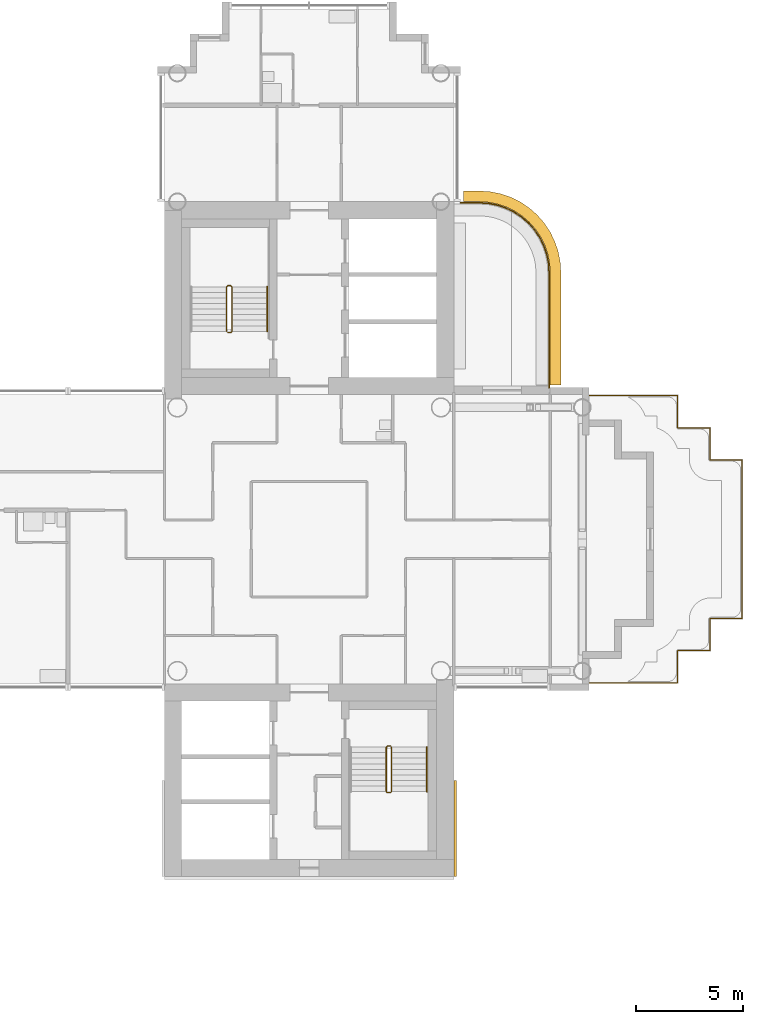
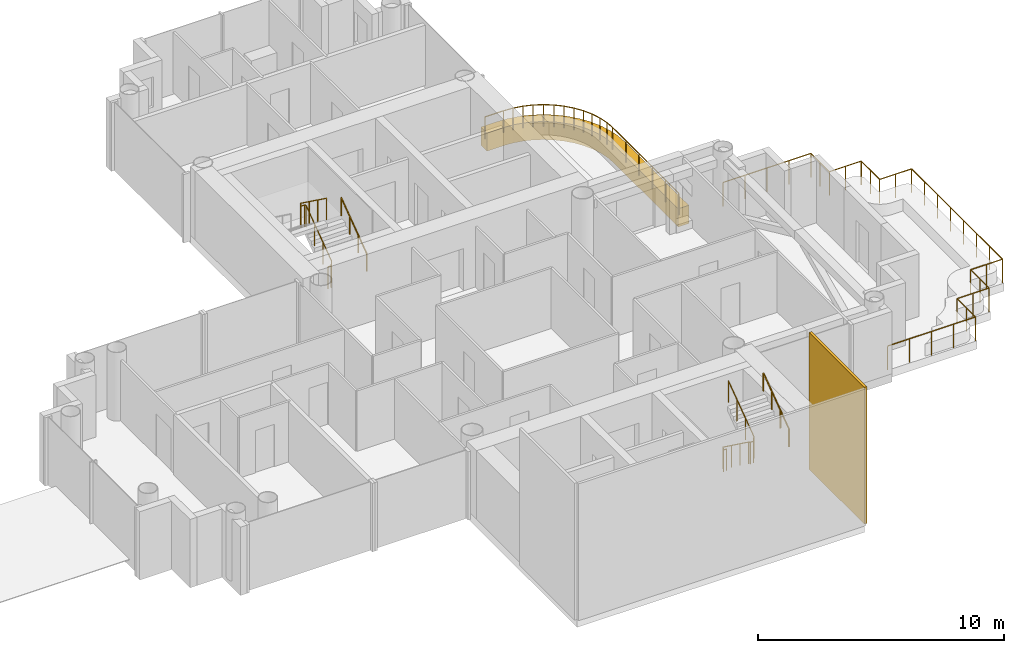
# One storey, part 18 of 19: 6 railings, 2 coverings.
"""IFC4 building model written with IfcOpenShell, lengths in metres."""

from ifc_helpers import new_model, si_unit, direction, frame, origin, origin_2d, place, context, subcontext, project, spatial, polyline, rectangle, circle, outline, extrude, material, layer, layer_set, type_object, element, save


model = new_model("IFC4")

# Units and contexts
model_context = context("Model", 3, precision=1e-05, world=origin(), true_north=direction((0.0, 1.0)))
body_context = subcontext(model_context, "Body", "Model", "MODEL_VIEW")
ifc_project = project(units=[si_unit("LENGTHUNIT", "METRE"), si_unit("AREAUNIT", "SQUARE_METRE"), si_unit("VOLUMEUNIT", "CUBIC_METRE"), si_unit("PLANEANGLEUNIT", "RADIAN"), si_unit("MASSUNIT", "GRAM", prefix="KILO")], contexts=[model_context])

# Site, building, storey
site_placement = place(None, origin())
site = spatial("IfcSite", under=ifc_project, at=site_placement, CompositionType="ELEMENT")
building_placement = place(site_placement, origin())
building = spatial("IfcBuilding", under=site, at=building_placement, Name="Ipe Terrace Towers", CompositionType="ELEMENT")
storey_placement = place(building_placement, frame((0.0, 0.0, 133.699951171875)))
storey = spatial("IfcBuildingStorey", under=building, at=storey_placement, Name="L36", CompositionType="ELEMENT", Elevation=133.699951171875)

# Railings
ifc_material_1 = material(Name="Stainless steel S316", Category="steel")
railing_type_1 = type_object("IfcRailingType", Name="GUARD 1100", PredefinedType="BALUSTRADE", material=ifc_material_1)
railing_1_placement = place(storey_placement, frame((47.199951171875, 7.070068359375, -0.02001953125)))
element("IfcRailing", 1, at=railing_1_placement, inside=storey, type_object=railing_type_1, Name="guard", PredefinedType="BALUSTRADE", context=body_context, shape_type="SweptSolid", body=[
    extrude(circle(Radius=0.02392578125, at=origin_2d()), frame((0.0, 0.0, 1.076171875), z_axis=(0.0, 1.0, 0.0), x_axis=(-1.0, 0.0, 0.0)), (0.0, 0.0, 1.0), 5.3779296875),
    extrude(circle(Radius=0.02392578125, at=origin_2d()), frame((0.0, 5.3779296875, 1.076171875), z_axis=(-0.065190546171, 0.997872833927, 0.0), x_axis=(-0.997872833927, -0.065190546171, 0.0)), (0.0, 0.0, 1.0), 0.427001953125),
    extrude(circle(Radius=0.02392578125, at=origin_2d()), frame((-0.02783203125, 5.803955078125, 1.076171875), z_axis=(-0.195232649896, 0.980756958892, 0.0), x_axis=(-0.980756958892, -0.195232649896, 0.0)), (0.0, 0.0, 1.0), 0.42529296875),
    extrude(circle(Radius=0.02392578125, at=origin_2d()), frame((-0.11083984375, 6.220947265625, 1.076171875), z_axis=(-0.320184280026, 0.947355280148, 0.0), x_axis=(-0.947355280148, -0.320184280026, 0.0)), (0.0, 0.0, 1.0), 0.425537109375),
    extrude(circle(Radius=0.02392578125, at=origin_2d()), frame((-0.2470703125, 6.6240234375, 1.076171875), z_axis=(-0.444455160923, 0.895801099535, 0.0), x_axis=(-0.895801099535, -0.444455160923, 0.0)), (0.0, 0.0, 1.0), 0.425048828125),
    extrude(circle(Radius=0.02392578125, at=origin_2d()), frame((-0.43603515625, 7.0048828125, 1.076171875), z_axis=(-0.55549616226, 0.83151910003, 0.0), x_axis=(-0.83151910003, -0.55549616226, 0.0)), (0.0, 0.0, 1.0), 0.424560546875),
    extrude(circle(Radius=0.02392578125, at=origin_2d()), frame((-0.671875, 7.35791015625, 1.076171875), z_axis=(-0.658463964434, 0.752612255774, 0.0), x_axis=(-0.752612255774, -0.658463964434, 0.0)), (0.0, 0.0, 1.0), 0.42529296875),
    extrude(circle(Radius=0.02392578125, at=origin_2d()), frame((-0.951904296875, 7.677978515625, 1.076171875), z_axis=(-0.752612255774, 0.658463964434, 0.0), x_axis=(-0.658463964434, -0.752612255774, 0.0)), (0.0, 0.0, 1.0), 0.42529296875),
    extrude(circle(Radius=0.02392578125, at=origin_2d()), frame((-1.27197265625, 7.9580078125, 1.076171875), z_axis=(-0.83151910003, 0.55549616226, 0.0), x_axis=(-0.55549616226, -0.83151910003, 0.0)), (0.0, 0.0, 1.0), 0.424560546875),
    extrude(circle(Radius=0.02392578125, at=origin_2d()), frame((-1.625, 8.19384765625, 1.076171875), z_axis=(-0.895801099535, 0.444455160923, 0.0), x_axis=(-0.444455160923, -0.895801099535, 0.0)), (0.0, 0.0, 1.0), 0.425048828125),
    extrude(circle(Radius=0.02392578125, at=origin_2d()), frame((-2.005859375, 8.3828125, 1.076171875), z_axis=(-0.947355280148, 0.320184280026, 0.0), x_axis=(-0.320184280026, -0.947355280148, 0.0)), (0.0, 0.0, 1.0), 0.425537109375),
    extrude(circle(Radius=0.02392578125, at=origin_2d()), frame((-2.408935546875, 8.51904296875, 1.076171875), z_axis=(-0.980756958892, 0.195232649896, 0.0), x_axis=(-0.195232649896, -0.980756958892, 0.0)), (0.0, 0.0, 1.0), 0.42529296875),
    extrude(circle(Radius=0.02392578125, at=origin_2d()), frame((-2.825927734375, 8.60205078125, 1.076171875), z_axis=(-0.997872833927, 0.065190546171, 0.0), x_axis=(-0.065190546171, -0.997872833927, 0.0)), (0.0, 0.0, 1.0), 0.427001953125),
    extrude(circle(Radius=0.02392578125, at=origin_2d()), frame((-3.251953125, 8.6298828125, 1.076171875), z_axis=(-1.0, 0.0, 0.0), x_axis=(0.0, -1.0, 0.0)), (0.0, 0.0, 1.0), 0.8779296875),
    extrude(circle(Radius=0.02099609375, at=origin_2d()), origin(), (0.0, 0.0, 1.0), 1.052001953125),
    extrude(circle(Radius=0.02099609375, at=origin_2d()), frame((0.0, 1.07568359375, 0.0)), (0.0, 0.0, 1.0), 1.052001953125),
    extrude(circle(Radius=0.02099609375, at=origin_2d()), frame((0.0, 2.151123046875, 0.0)), (0.0, 0.0, 1.0), 1.052001953125),
    extrude(circle(Radius=0.02099609375, at=origin_2d()), frame((0.0, 3.226806640625, 0.0)), (0.0, 0.0, 1.0), 1.052001953125),
    extrude(circle(Radius=0.02099609375, at=origin_2d()), frame((0.0, 4.30224609375, 0.0)), (0.0, 0.0, 1.0), 1.052001953125),
    extrude(circle(Radius=0.02099609375, at=origin_2d()), frame((0.0, 5.3779296875, 0.0)), (0.0, 0.0, 1.0), 1.052001953125),
    extrude(circle(Radius=0.02099609375, at=origin_2d()), frame((-0.02783203125, 5.803955078125, 0.0)), (0.0, 0.0, 1.0), 1.052001953125),
    extrude(circle(Radius=0.02099609375, at=origin_2d()), frame((-0.11083984375, 6.220947265625, 0.0)), (0.0, 0.0, 1.0), 1.052001953125),
    extrude(circle(Radius=0.02099609375, at=origin_2d()), frame((-0.2470703125, 6.6240234375, 0.0)), (0.0, 0.0, 1.0), 1.052001953125),
    extrude(circle(Radius=0.02099609375, at=origin_2d()), frame((-0.43603515625, 7.0048828125, 0.0)), (0.0, 0.0, 1.0), 1.052001953125),
    extrude(circle(Radius=0.02099609375, at=origin_2d()), frame((-0.671875, 7.35791015625, 0.0)), (0.0, 0.0, 1.0), 1.052001953125),
    extrude(circle(Radius=0.02099609375, at=origin_2d()), frame((-0.951904296875, 7.677978515625, 0.0)), (0.0, 0.0, 1.0), 1.052001953125),
    extrude(circle(Radius=0.02099609375, at=origin_2d()), frame((-1.27197265625, 7.9580078125, 0.0)), (0.0, 0.0, 1.0), 1.052001953125),
    extrude(circle(Radius=0.02099609375, at=origin_2d()), frame((-1.625, 8.19384765625, 0.0)), (0.0, 0.0, 1.0), 1.052001953125),
    extrude(circle(Radius=0.02099609375, at=origin_2d()), frame((-2.005859375, 8.3828125, 0.0)), (0.0, 0.0, 1.0), 1.052001953125),
    extrude(circle(Radius=0.02099609375, at=origin_2d()), frame((-2.408935546875, 8.51904296875, 0.0)), (0.0, 0.0, 1.0), 1.052001953125),
    extrude(circle(Radius=0.02099609375, at=origin_2d()), frame((-2.825927734375, 8.60205078125, 0.0)), (0.0, 0.0, 1.0), 1.052001953125),
    extrude(circle(Radius=0.02099609375, at=origin_2d()), frame((-3.251953125, 8.6298828125, 0.0)), (0.0, 0.0, 1.0), 1.052001953125),
    extrude(circle(Radius=0.02099609375, at=origin_2d()), frame((-4.1298828125, 8.6298828125, 0.0)), (0.0, 0.0, 1.0), 1.052001953125),
])
ifc_material_2 = material(Name="Stainless steel S316", Category="steel")
railing_type_2 = type_object("IfcRailingType", Name="ROOF GUARD 1200", PredefinedType="BALUSTRADE", material=ifc_material_2)
railing_2_placement = place(storey_placement, frame((49.070068359375, -6.699951171875, -0.02001953125)))
element("IfcRailing", 2, at=railing_2_placement, inside=storey, type_object=railing_type_2, Name="roof guard", PredefinedType="BALUSTRADE", context=body_context, shape_type="SweptSolid", body=[
    extrude(circle(Radius=0.02392578125, at=origin_2d()), frame((0.0, 0.0, 1.17578125), z_axis=(1.0, 0.0, 0.0), x_axis=(0.0, 1.0, 0.0)), (0.0, 0.0, 1.0), 4.1298828125),
    extrude(circle(Radius=0.02392578125, at=origin_2d()), frame((4.1298828125, 0.0, 1.17578125), z_axis=(0.0, 1.0, 0.0), x_axis=(-1.0, 0.0, 0.0)), (0.0, 0.0, 1.0), 1.5),
    extrude(circle(Radius=0.02392578125, at=origin_2d()), frame((4.1298828125, 1.5, 1.17578125), z_axis=(1.0, 0.0, 0.0), x_axis=(0.0, 1.0, 0.0)), (0.0, 0.0, 1.0), 1.5),
    extrude(circle(Radius=0.02392578125, at=origin_2d()), frame((5.6298828125, 1.5, 1.17578125), z_axis=(0.0, 1.0, 0.0), x_axis=(-1.0, 0.0, 0.0)), (0.0, 0.0, 1.0), 1.5),
    extrude(circle(Radius=0.02392578125, at=origin_2d()), frame((5.6298828125, 3.0, 1.17578125), z_axis=(1.0, 0.0, 0.0), x_axis=(0.0, 1.0, 0.0)), (0.0, 0.0, 1.0), 1.5),
    extrude(circle(Radius=0.02392578125, at=origin_2d()), frame((7.1298828125, 3.0, 1.17578125), z_axis=(0.0, 1.0, 0.0), x_axis=(-1.0, 0.0, 0.0)), (0.0, 0.0, 1.0), 7.39990234375),
    extrude(circle(Radius=0.02392578125, at=origin_2d()), frame((7.1298828125, 10.39990234375, 1.17578125), z_axis=(-1.0, 0.0, 0.0), x_axis=(0.0, -1.0, 0.0)), (0.0, 0.0, 1.0), 1.5),
    extrude(circle(Radius=0.02392578125, at=origin_2d()), frame((5.6298828125, 10.39990234375, 1.17578125), z_axis=(0.0, 1.0, 0.0), x_axis=(-1.0, 0.0, 0.0)), (0.0, 0.0, 1.0), 1.5),
    extrude(circle(Radius=0.02392578125, at=origin_2d()), frame((5.6298828125, 11.89990234375, 1.17578125), z_axis=(-1.0, 0.0, 0.0), x_axis=(0.0, -1.0, 0.0)), (0.0, 0.0, 1.0), 1.5),
    extrude(circle(Radius=0.02392578125, at=origin_2d()), frame((4.1298828125, 11.89990234375, 1.17578125), z_axis=(0.0, 1.0, 0.0), x_axis=(-1.0, 0.0, 0.0)), (0.0, 0.0, 1.0), 1.5),
    extrude(circle(Radius=0.02392578125, at=origin_2d()), frame((4.1298828125, 13.39990234375, 1.17578125), z_axis=(-1.0, 0.0, 0.0), x_axis=(0.0, -1.0, 0.0)), (0.0, 0.0, 1.0), 4.1298828125),
    extrude(circle(Radius=0.02099609375, at=origin_2d()), origin(), (0.0, 0.0, 1.0), 1.15185546875),
    extrude(circle(Radius=0.02099609375, at=origin_2d()), frame((1.032470703125, 0.0, 0.0)), (0.0, 0.0, 1.0), 1.15185546875),
    extrude(circle(Radius=0.02099609375, at=origin_2d()), frame((2.06494140625, 0.0, 0.0)), (0.0, 0.0, 1.0), 1.15185546875),
    extrude(circle(Radius=0.02099609375, at=origin_2d()), frame((3.097412109375, 0.0, 0.0)), (0.0, 0.0, 1.0), 1.15185546875),
    extrude(circle(Radius=0.02099609375, at=origin_2d()), frame((4.1298828125, 0.0, 0.0)), (0.0, 0.0, 1.0), 1.15185546875),
    extrude(circle(Radius=0.02099609375, at=origin_2d()), frame((4.1298828125, 0.75, 0.0)), (0.0, 0.0, 1.0), 1.15185546875),
    extrude(circle(Radius=0.02099609375, at=origin_2d()), frame((4.1298828125, 1.5, 0.0)), (0.0, 0.0, 1.0), 1.15185546875),
    extrude(circle(Radius=0.02099609375, at=origin_2d()), frame((4.8798828125, 1.5, 0.0)), (0.0, 0.0, 1.0), 1.15185546875),
    extrude(circle(Radius=0.02099609375, at=origin_2d()), frame((5.6298828125, 1.5, 0.0)), (0.0, 0.0, 1.0), 1.15185546875),
    extrude(circle(Radius=0.02099609375, at=origin_2d()), frame((5.6298828125, 2.25, 0.0)), (0.0, 0.0, 1.0), 1.15185546875),
    extrude(circle(Radius=0.02099609375, at=origin_2d()), frame((5.6298828125, 3.0, 0.0)), (0.0, 0.0, 1.0), 1.15185546875),
    extrude(circle(Radius=0.02099609375, at=origin_2d()), frame((6.3798828125, 3.0, 0.0)), (0.0, 0.0, 1.0), 1.15185546875),
    extrude(circle(Radius=0.02099609375, at=origin_2d()), frame((7.1298828125, 3.0, 0.0)), (0.0, 0.0, 1.0), 1.15185546875),
    extrude(circle(Radius=0.02099609375, at=origin_2d()), frame((7.1298828125, 4.05712890625, 0.0)), (0.0, 0.0, 1.0), 1.15185546875),
    extrude(circle(Radius=0.02099609375, at=origin_2d()), frame((7.1298828125, 5.1142578125, 0.0)), (0.0, 0.0, 1.0), 1.15185546875),
    extrude(circle(Radius=0.02099609375, at=origin_2d()), frame((7.1298828125, 6.17138671875, 0.0)), (0.0, 0.0, 1.0), 1.15185546875),
    extrude(circle(Radius=0.02099609375, at=origin_2d()), frame((7.1298828125, 7.228515625, 0.0)), (0.0, 0.0, 1.0), 1.15185546875),
    extrude(circle(Radius=0.02099609375, at=origin_2d()), frame((7.1298828125, 8.28564453125, 0.0)), (0.0, 0.0, 1.0), 1.15185546875),
    extrude(circle(Radius=0.02099609375, at=origin_2d()), frame((7.1298828125, 9.3427734375, 0.0)), (0.0, 0.0, 1.0), 1.15185546875),
    extrude(circle(Radius=0.02099609375, at=origin_2d()), frame((7.1298828125, 10.39990234375, 0.0)), (0.0, 0.0, 1.0), 1.15185546875),
    extrude(circle(Radius=0.02099609375, at=origin_2d()), frame((6.3798828125, 10.39990234375, 0.0)), (0.0, 0.0, 1.0), 1.15185546875),
    extrude(circle(Radius=0.02099609375, at=origin_2d()), frame((5.6298828125, 10.39990234375, 0.0)), (0.0, 0.0, 1.0), 1.15185546875),
    extrude(circle(Radius=0.02099609375, at=origin_2d()), frame((5.6298828125, 11.14990234375, 0.0)), (0.0, 0.0, 1.0), 1.15185546875),
    extrude(circle(Radius=0.02099609375, at=origin_2d()), frame((5.6298828125, 11.89990234375, 0.0)), (0.0, 0.0, 1.0), 1.15185546875),
    extrude(circle(Radius=0.02099609375, at=origin_2d()), frame((4.8798828125, 11.89990234375, 0.0)), (0.0, 0.0, 1.0), 1.15185546875),
    extrude(circle(Radius=0.02099609375, at=origin_2d()), frame((4.1298828125, 11.89990234375, 0.0)), (0.0, 0.0, 1.0), 1.15185546875),
    extrude(circle(Radius=0.02099609375, at=origin_2d()), frame((4.1298828125, 12.64990234375, 0.0)), (0.0, 0.0, 1.0), 1.15185546875),
    extrude(circle(Radius=0.02099609375, at=origin_2d()), frame((4.1298828125, 13.39990234375, 0.0)), (0.0, 0.0, 1.0), 1.15185546875),
    extrude(circle(Radius=0.02099609375, at=origin_2d()), frame((3.097412109375, 13.39990234375, 0.0)), (0.0, 0.0, 1.0), 1.15185546875),
    extrude(circle(Radius=0.02099609375, at=origin_2d()), frame((2.06494140625, 13.39990234375, 0.0)), (0.0, 0.0, 1.0), 1.15185546875),
    extrude(circle(Radius=0.02099609375, at=origin_2d()), frame((1.032470703125, 13.39990234375, 0.0)), (0.0, 0.0, 1.0), 1.15185546875),
    extrude(circle(Radius=0.02099609375, at=origin_2d()), frame((0.0, 13.39990234375, 0.0)), (0.0, 0.0, 1.0), 1.15185546875),
])

# Coverings
ifc_material_3 = material(Name="Concrete C50/60 precast, buff finish", Category="concrete")
ifc_layer_1 = layer(ifc_material_3, 0.1201171875)
ifc_layer_set_1 = layer_set([ifc_layer_1], Name="STONE CORE CLADDING 120")
covering_type_1 = type_object("IfcCoveringType", Name="STONE CORE CLADDING 120", PredefinedType="CLADDING", material=ifc_layer_set_1)
covering_1_placement = place(storey_placement, frame((42.81005859375, -13.5, 0.0), z_axis=(0.0, 0.0, 1.0), x_axis=(0.0, 1.0, 0.0)))
element("IfcCovering", 3, at=covering_1_placement, inside=storey, type_object=covering_type_1, Name="stone core cladding", PredefinedType="CLADDING", context=body_context, shape_type="SweptSolid", body=[
    extrude(rectangle(XDim=4.5, YDim=0.1201171875, at=origin_2d()), origin(), (0.0, 0.0, 1.0), 6.800048828125),
])
ifc_material_4 = material(Name="Concrete C50/60 precast, buff finish", Category="concrete")
ifc_layer_2 = layer(ifc_material_4, 0.5)
ifc_layer_set_2 = layer_set([ifc_layer_2], Name="STONE EDGE BAND 500 x 900")
covering_type_2 = type_object("IfcCoveringType", Name="STONE EDGE BAND 500 x 900", PredefinedType="CLADDING", material=ifc_layer_set_2)
covering_2_placement = place(storey_placement, frame((0.0, 0.0, -0.719970703125)))
element("IfcCovering", 4, at=covering_2_placement, inside=storey, type_object=covering_type_2, Name="stone edge band", PredefinedType="CLADDING", context=body_context, shape_type="SweptSolid", body=[
    extrude(outline(polyline([(47.75, 12.449951171875), (47.7490234375, 12.48291015625), (47.720947265625, 12.9130859375), (47.7119140625, 12.97802734375), (47.6279296875, 13.402099609375), (47.611083984375, 13.465087890625), (47.471923828125, 13.8740234375), (47.447021484375, 13.93408203125), (47.256103515625, 14.321044921875), (47.22412109375, 14.3779296875), (46.98388671875, 14.737060546875), (46.944091796875, 14.7890625), (46.658935546875, 15.113037109375), (46.613037109375, 15.158935546875), (46.2890625, 15.444091796875), (46.237060546875, 15.48388671875), (45.8779296875, 15.72412109375), (45.821044921875, 15.756103515625), (45.43408203125, 15.947021484375), (45.3740234375, 15.971923828125), (44.965087890625, 16.111083984375), (44.902099609375, 16.1279296875), (44.47802734375, 16.2119140625), (44.4130859375, 16.220947265625), (43.98291015625, 16.2490234375), (43.949951171875, 16.25), (43.199951171875, 16.25), (43.199951171875, 15.75), (43.949951171875, 15.75), (44.381103515625, 15.721923828125), (44.803955078125, 15.637939453125), (45.212890625, 15.4990234375), (45.60009765625, 15.30810546875), (45.958984375, 15.068115234375), (46.282958984375, 14.782958984375), (46.568115234375, 14.458984375), (46.80810546875, 14.10009765625), (46.9990234375, 13.712890625), (47.137939453125, 13.303955078125), (47.221923828125, 12.881103515625), (47.25, 12.449951171875), (47.25, 7.199951171875), (47.75, 7.199951171875), (47.75, 12.449951171875)])), origin(), (0.0, 0.0, 1.0), 0.89990234375),
])

# Railings
ifc_material_5 = material(Name="Steel S355", Category="steel")
railing_type_3 = type_object("IfcRailingType", Name="Stair guard 1100", PredefinedType="GUARDRAIL", material=ifc_material_5)
railing_3_placement = place(storey_placement, frame((32.199951171875, 9.64990234375, 0.0)))
element("IfcRailing", 5, at=railing_3_placement, inside=storey, type_object=railing_type_3, Name="L36 T2-ST1 stair guard 1", PredefinedType="GUARDRAIL", context=body_context, shape_type="SweptSolid", body=[
    extrude(circle(Radius=0.02392578125, at=origin_2d()), frame((0.0, 0.0, 1.076171875), z_axis=(1.0, 0.0, 0.0), x_axis=(0.0, 1.0, 0.0)), (0.0, 0.0, 1.0), 0.150146484375),
    extrude(circle(Radius=0.02392578125, at=origin_2d()), frame((0.150146484375, 0.0, 1.076171875), z_axis=(0.246893586699, 0.248103849378, 0.936743314239), x_axis=(-0.708833529934, 0.705375805398, 0.0)), (0.0, 0.0, 1.0), 0.20166015625),
    extrude(circle(Radius=0.02392578125, at=origin_2d()), frame((0.199951171875, 0.050048828125, 1.26513671875), z_axis=(0.0, 0.809068575486, 0.587714250432), x_axis=(-1.0, 0.0, 0.0)), (0.0, 0.0, 1.0), 2.571044921875),
    extrude(circle(Radius=0.02392578125, at=origin_2d()), frame((0.199951171875, 2.130126953125, 2.77587890625), z_axis=(-0.705375805398, 0.708833529934, 0.0), x_axis=(-0.708833529934, -0.705375805398, 0.0)), (0.0, 0.0, 1.0), 0.070556640625),
    extrude(circle(Radius=0.02392578125, at=origin_2d()), frame((0.150146484375, 2.18017578125, 2.77587890625), z_axis=(-1.0, 0.0, 0.0), x_axis=(0.0, -1.0, 0.0)), (0.0, 0.0, 1.0), 0.150146484375),
    extrude(circle(Radius=0.02392578125, at=origin_2d()), frame((0.0, 2.18017578125, 2.77587890625), z_axis=(-0.248029566107, -0.248029566107, 0.936462849596), x_axis=(0.707106781187, -0.707106781187, 0.0)), (0.0, 0.0, 1.0), 0.201904296875),
    extrude(circle(Radius=0.02392578125, at=origin_2d()), frame((-0.050048828125, 2.130126953125, 2.96484375), z_axis=(0.0, -0.809023421508, 0.587776406001), x_axis=(1.0, 0.0, 0.0)), (0.0, 0.0, 1.0), 2.571044921875),
    extrude(circle(Radius=0.02099609375, at=origin_2d()), origin(), (0.0, 0.0, 1.0), 1.052001953125),
    extrude(circle(Radius=0.02099609375, at=origin_2d()), frame((0.150146484375, 0.0, 0.0)), (0.0, 0.0, 1.0), 1.052001953125),
    extrude(circle(Radius=0.02099609375, at=origin_2d()), frame((0.199951171875, 0.050048828125, 0.18896484375)), (0.0, 0.0, 1.0), 1.052001953125),
    extrude(circle(Radius=0.02099609375, at=origin_2d()), frame((0.199951171875, 0.743408203125, 0.692626953125)), (0.0, 0.0, 1.0), 1.052001953125),
    extrude(circle(Radius=0.02099609375, at=origin_2d()), frame((0.199951171875, 1.436767578125, 1.1962890625)), (0.0, 0.0, 1.0), 1.052001953125),
    extrude(circle(Radius=0.02099609375, at=origin_2d()), frame((0.199951171875, 2.130126953125, 1.699951171875)), (0.0, 0.0, 1.0), 1.052001953125),
    extrude(circle(Radius=0.02099609375, at=origin_2d()), frame((0.150146484375, 2.18017578125, 1.699951171875)), (0.0, 0.0, 1.0), 1.052001953125),
    extrude(circle(Radius=0.02099609375, at=origin_2d()), frame((0.0, 2.18017578125, 1.699951171875)), (0.0, 0.0, 1.0), 1.052001953125),
    extrude(circle(Radius=0.02099609375, at=origin_2d()), frame((-0.050048828125, 2.130126953125, 1.888916015625)), (0.0, 0.0, 1.0), 1.052001953125),
    extrude(circle(Radius=0.02099609375, at=origin_2d()), frame((-0.050048828125, 1.436767578125, 2.392578125)), (0.0, 0.0, 1.0), 1.052001953125),
    extrude(circle(Radius=0.02099609375, at=origin_2d()), frame((-0.050048828125, 0.743408203125, 2.896484375)), (0.0, 0.0, 1.0), 1.052001953125),
    extrude(circle(Radius=0.02099609375, at=origin_2d()), frame((-0.050048828125, 0.050048828125, 3.400146484375)), (0.0, 0.0, 1.0), 1.052001953125),
])
railing_4_placement = place(storey_placement, frame((39.800048828125, -9.64990234375, 0.0)))
element("IfcRailing", 6, at=railing_4_placement, inside=storey, type_object=railing_type_3, Name="L36 T2-ST2 stair guard 1", PredefinedType="GUARDRAIL", context=body_context, shape_type="SweptSolid", body=[
    extrude(circle(Radius=0.02392578125, at=origin_2d()), frame((0.0, 0.0, 1.076171875), z_axis=(-1.0, 0.0, 0.0), x_axis=(0.0, -1.0, 0.0)), (0.0, 0.0, 1.0), 0.150146484375),
    extrude(circle(Radius=0.02392578125, at=origin_2d()), frame((-0.150146484375, 0.0, 1.076171875), z_axis=(-0.246893586699, -0.248103849378, 0.936743314239), x_axis=(0.708833529934, -0.705375805398, 0.0)), (0.0, 0.0, 1.0), 0.20166015625),
    extrude(circle(Radius=0.02392578125, at=origin_2d()), frame((-0.199951171875, -0.050048828125, 1.26513671875), z_axis=(0.0, -0.809068575486, 0.587714250432), x_axis=(1.0, 0.0, 0.0)), (0.0, 0.0, 1.0), 2.571044921875),
    extrude(circle(Radius=0.02392578125, at=origin_2d()), frame((-0.199951171875, -2.130126953125, 2.77587890625), z_axis=(0.705375805398, -0.708833529934, 0.0), x_axis=(0.708833529934, 0.705375805398, 0.0)), (0.0, 0.0, 1.0), 0.070556640625),
    extrude(circle(Radius=0.02392578125, at=origin_2d()), frame((-0.150146484375, -2.18017578125, 2.77587890625), z_axis=(1.0, 0.0, 0.0), x_axis=(0.0, 1.0, 0.0)), (0.0, 0.0, 1.0), 0.150146484375),
    extrude(circle(Radius=0.02392578125, at=origin_2d()), frame((0.0, -2.18017578125, 2.77587890625), z_axis=(0.248029566107, 0.248029566107, 0.936462849596), x_axis=(-0.707106781187, 0.707106781187, 0.0)), (0.0, 0.0, 1.0), 0.201904296875),
    extrude(circle(Radius=0.02392578125, at=origin_2d()), frame((0.050048828125, -2.130126953125, 2.96484375), z_axis=(0.0, 0.809023421508, 0.587776406001), x_axis=(-1.0, 0.0, 0.0)), (0.0, 0.0, 1.0), 2.571044921875),
    extrude(circle(Radius=0.02099609375, at=origin_2d()), origin(), (0.0, 0.0, 1.0), 1.052001953125),
    extrude(circle(Radius=0.02099609375, at=origin_2d()), frame((-0.150146484375, 0.0, 0.0)), (0.0, 0.0, 1.0), 1.052001953125),
    extrude(circle(Radius=0.02099609375, at=origin_2d()), frame((-0.199951171875, -0.050048828125, 0.18896484375)), (0.0, 0.0, 1.0), 1.052001953125),
    extrude(circle(Radius=0.02099609375, at=origin_2d()), frame((-0.199951171875, -0.743408203125, 0.692626953125)), (0.0, 0.0, 1.0), 1.052001953125),
    extrude(circle(Radius=0.02099609375, at=origin_2d()), frame((-0.199951171875, -1.436767578125, 1.1962890625)), (0.0, 0.0, 1.0), 1.052001953125),
    extrude(circle(Radius=0.02099609375, at=origin_2d()), frame((-0.199951171875, -2.130126953125, 1.699951171875)), (0.0, 0.0, 1.0), 1.052001953125),
    extrude(circle(Radius=0.02099609375, at=origin_2d()), frame((-0.150146484375, -2.18017578125, 1.699951171875)), (0.0, 0.0, 1.0), 1.052001953125),
    extrude(circle(Radius=0.02099609375, at=origin_2d()), frame((0.0, -2.18017578125, 1.699951171875)), (0.0, 0.0, 1.0), 1.052001953125),
    extrude(circle(Radius=0.02099609375, at=origin_2d()), frame((0.050048828125, -2.130126953125, 1.888916015625)), (0.0, 0.0, 1.0), 1.052001953125),
    extrude(circle(Radius=0.02099609375, at=origin_2d()), frame((0.050048828125, -1.436767578125, 2.392578125)), (0.0, 0.0, 1.0), 1.052001953125),
    extrude(circle(Radius=0.02099609375, at=origin_2d()), frame((0.050048828125, -0.743408203125, 2.896484375)), (0.0, 0.0, 1.0), 1.052001953125),
    extrude(circle(Radius=0.02099609375, at=origin_2d()), frame((0.050048828125, -0.050048828125, 3.400146484375)), (0.0, 0.0, 1.0), 1.052001953125),
])
ifc_material_6 = material(Name="Stainless steel grade 304", Category="steel")
railing_type_4 = type_object("IfcRailingType", Name="Stair handrail 900", PredefinedType="HANDRAIL", material=ifc_material_6)
railing_5_placement = place(storey_placement, frame((34.050048828125, 9.699951171875, 0.18896484375)))
element("IfcRailing", 7, at=railing_5_placement, inside=storey, type_object=railing_type_4, Name="L36 T2-ST1 stair handrail 1", PredefinedType="HANDRAIL", context=body_context, shape_type="SweptSolid", body=[
    extrude(circle(Radius=0.02392578125, at=origin_2d()), frame((0.0, 0.0, 0.8759765625), z_axis=(0.0, 0.809068575486, 0.587714250432), x_axis=(-1.0, 0.0, 0.0)), (0.0, 0.0, 1.0), 2.571044921875),
    extrude(circle(Radius=0.02099609375, at=origin_2d()), origin(), (0.0, 0.0, 1.0), 0.851806640625),
    extrude(circle(Radius=0.02099609375, at=origin_2d()), frame((0.0, 0.693359375, 0.503662109375)), (0.0, 0.0, 1.0), 0.851806640625),
    extrude(circle(Radius=0.02099609375, at=origin_2d()), frame((0.0, 1.38671875, 1.00732421875)), (0.0, 0.0, 1.0), 0.851806640625),
    extrude(circle(Radius=0.02099609375, at=origin_2d()), frame((0.0, 2.080078125, 1.510986328125)), (0.0, 0.0, 1.0), 0.851806640625),
])
railing_6_placement = place(storey_placement, frame((41.5, -11.780029296875, 1.888916015625)))
element("IfcRailing", 8, at=railing_6_placement, inside=storey, type_object=railing_type_4, Name="L36 T2-ST2 stair handrail 2", PredefinedType="HANDRAIL", context=body_context, shape_type="SweptSolid", body=[
    extrude(circle(Radius=0.02392578125, at=origin_2d()), frame((0.0, 0.0, 0.8759765625), z_axis=(0.0, 0.809023421508, 0.587776406001), x_axis=(-1.0, 0.0, 0.0)), (0.0, 0.0, 1.0), 2.571044921875),
    extrude(circle(Radius=0.02099609375, at=origin_2d()), origin(), (0.0, 0.0, 1.0), 0.851806640625),
    extrude(circle(Radius=0.02099609375, at=origin_2d()), frame((0.0, 0.693359375, 0.503662109375)), (0.0, 0.0, 1.0), 0.851806640625),
    extrude(circle(Radius=0.02099609375, at=origin_2d()), frame((0.0, 1.38671875, 1.007568359375)), (0.0, 0.0, 1.0), 0.851806640625),
    extrude(circle(Radius=0.02099609375, at=origin_2d()), frame((0.0, 2.080078125, 1.51123046875)), (0.0, 0.0, 1.0), 0.851806640625),
])

save(model, "model.ifc")
